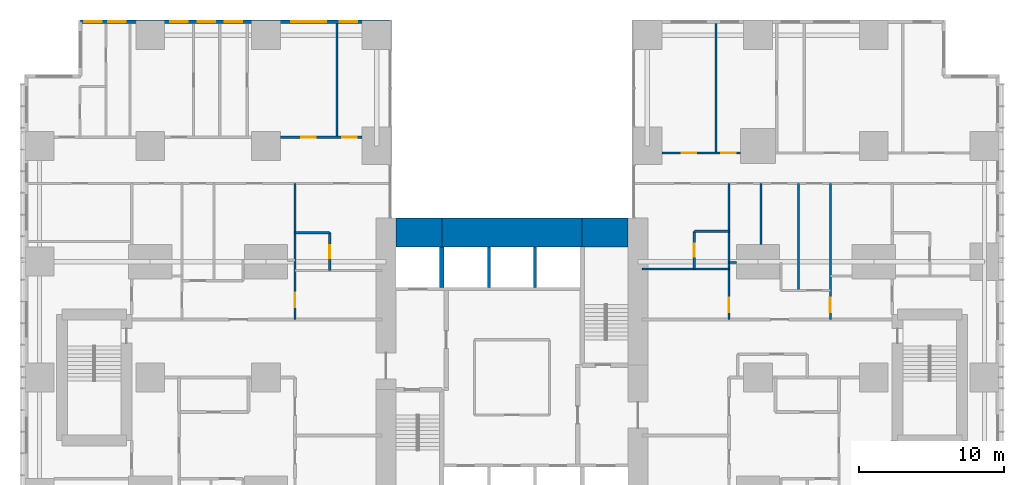
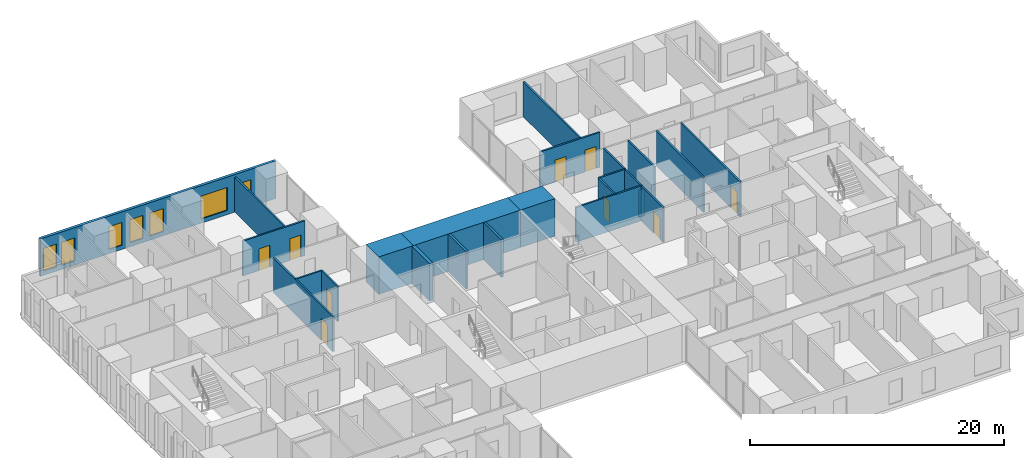
# One storey, part 17 of 20: 22 walls, 9 doors, 7 windows, 16 openings.
"""IFC4 building model written with IfcOpenShell, lengths in metres."""

from ifc_helpers import new_model, si_unit, direction, frame, frame_2d, origin, place, context, subcontext, project, spatial, rectangle, extrude, material, layer, layer_set, type_object, element, fill, save


model = new_model("IFC4")

# Units and contexts
model_context = context("Model", 3, precision=1e-05, world=origin(), true_north=direction((0.0, 1.0)))
body_context = subcontext(model_context, "Body", "Model", "MODEL_VIEW")
ifc_project = project(units=[si_unit("LENGTHUNIT", "METRE"), si_unit("AREAUNIT", "SQUARE_METRE"), si_unit("VOLUMEUNIT", "CUBIC_METRE"), si_unit("PLANEANGLEUNIT", "RADIAN"), si_unit("MASSUNIT", "GRAM", prefix="KILO")], contexts=[model_context])

# Site, building, storey
site_placement = place(None, origin())
site = spatial("IfcSite", under=ifc_project, at=site_placement, CompositionType="ELEMENT")
building_placement = place(site_placement, origin())
building = spatial("IfcBuilding", under=site, at=building_placement, Name="Cleftline Residences", CompositionType="ELEMENT")
storey_placement = place(building_placement, frame((0.0, 0.0, 121.39990234375)))
storey = spatial("IfcBuildingStorey", under=building, at=storey_placement, Name="L31", CompositionType="ELEMENT", Elevation=121.39990234375)

# Walls
ifc_material_1 = material(Name="Concrete B70", Category="concrete")
ifc_layer_1 = layer(ifc_material_1, 2.0)
ifc_layer_set_1 = layer_set([ifc_layer_1], Name="CORE WALL 2000")
wall_type_1 = type_object("IfcWallType", Name="CORE WALL 2000", PredefinedType="SHEAR", material=ifc_layer_set_1)
wall_1_placement = place(storey_placement, frame((25.0, 34.0, 0.0), z_axis=(0.0, 0.0, 1.0), x_axis=(1.0, 0.0, 0.0)))
element("IfcWall", 1, at=wall_1_placement, inside=storey, type_object=wall_type_1, Name="Core wall N1", PredefinedType="SHEAR", context=body_context, shape_type="SweptSolid", body=[
    extrude(rectangle(XDim=3.14990234375, YDim=2.0, at=frame_2d((1.574951171875, 0.0))), origin(), (0.0, 0.0, 1.0), 3.60009765625),
])
wall_2_placement = place(storey_placement, frame((28.14990234375, 34.0, 0.0), z_axis=(0.0, 0.0, 1.0), x_axis=(1.0, 0.0, 0.0)))
element("IfcWall", 2, at=wall_2_placement, inside=storey, type_object=wall_type_1, Name="Core wall N2", PredefinedType="SHEAR", context=body_context, shape_type="SweptSolid", body=[
    extrude(rectangle(XDim=9.7001953125, YDim=2.0, at=frame_2d((4.85009765625, 0.0))), origin(), (0.0, 0.0, 1.0), 3.60009765625),
])
wall_3_placement = place(storey_placement, frame((37.85009765625, 34.0, 0.0), z_axis=(0.0, 0.0, 1.0), x_axis=(1.0, 0.0, 0.0)))
element("IfcWall", 3, at=wall_3_placement, inside=storey, type_object=wall_type_1, Name="Core wall N3", PredefinedType="SHEAR", context=body_context, shape_type="SweptSolid", body=[
    extrude(rectangle(XDim=3.14990234375, YDim=2.0, at=frame_2d((1.574951171875, 0.0))), origin(), (0.0, 0.0, 1.0), 3.60009765625),
])
ifc_material_2 = material(Name="Concrete B70", Category="concrete")
ifc_layer_2 = layer(ifc_material_2, 0.300048828125)
ifc_layer_set_2 = layer_set([ifc_layer_2], Name="CORE WALL 300")
wall_type_2 = type_object("IfcWallType", Name="CORE WALL 300", PredefinedType="SHEAR", material=ifc_layer_set_2)
wall_4_placement = place(storey_placement, frame((28.14990234375, 30.199951171875, 0.0), z_axis=(0.0, 0.0, 1.0), x_axis=(0.0, 1.0, 0.0)))
element("IfcWall", 4, at=wall_4_placement, inside=storey, type_object=wall_type_2, Name="Lift shaft wall", PredefinedType="SHEAR", context=body_context, shape_type="SweptSolid", body=[
    extrude(rectangle(XDim=2.800048828125, YDim=0.300048828125, at=frame_2d((1.39990234375, 0.0))), origin(), (0.0, 0.0, 1.0), 3.60009765625),
])

# Wall, openings, windows
ifc_material_3 = material(Name="Rendered reinforced concrete blockwork", Category="masonry")
ifc_layer_3 = layer(ifc_material_3, 0.25)
ifc_layer_set_3 = layer_set([ifc_layer_3], Name="EXTERNAL WALL 250")
wall_type_3 = type_object("IfcWallType", Name="EXTERNAL WALL 250", PredefinedType="SOLIDWALL", material=ifc_layer_set_3)
wall_5_placement = place(storey_placement, frame((24.574951171875, 48.574951171875, 0.0), z_axis=(0.0, 0.0, 1.0), x_axis=(-1.0, 0.0, 0.0)))
wall_5 = element("IfcWall", 5, at=wall_5_placement, inside=storey, type_object=wall_type_3, Name="External wall", PredefinedType="SOLIDWALL", context=body_context, shape_type="SweptSolid", body=[
    extrude(rectangle(XDim=21.39990234375, YDim=0.25, at=frame_2d((10.699951171875, 0.0))), origin(), (0.0, 0.0, 1.0), 3.60009765625),
])
opening_1_placement = place(wall_5_placement, frame((2.27490234375, 0.0, 0.39990234375)))
opening_1 = element("IfcOpeningElement", 6, at=opening_1_placement, cuts=wall_5, Name="Opening W11", PredefinedType="OPENING", context=body_context, shape_type="SweptSolid", body=[
    extrude(rectangle(XDim=1.199951171875, YDim=2.199951171875, at=frame_2d((0.60009765625, 1.10009765625))), frame((0.0, 0.135009765625, 0.0), z_axis=(0.0, -1.0, 0.0), x_axis=(1.0, 0.0, 0.0)), (0.0, 0.0, 1.0), 0.27001953125),
])
opening_2_placement = place(wall_5_placement, frame((4.425048828125, 0.0, 0.39990234375)))
opening_2 = element("IfcOpeningElement", 7, at=opening_2_placement, cuts=wall_5, Name="Opening W12", PredefinedType="OPENING", context=body_context, shape_type="SweptSolid", body=[
    extrude(rectangle(XDim=2.39990234375, YDim=2.199951171875, at=frame_2d((1.199951171875, 1.10009765625))), frame((0.0, 0.135009765625, 0.0), z_axis=(0.0, -1.0, 0.0), x_axis=(1.0, 0.0, 0.0)), (0.0, 0.0, 1.0), 0.27001953125),
])
opening_3_placement = place(wall_5_placement, frame((10.22509765625, 0.0, 0.39990234375)))
opening_3 = element("IfcOpeningElement", 8, at=opening_3_placement, cuts=wall_5, Name="Opening W11", PredefinedType="OPENING", context=body_context, shape_type="SweptSolid", body=[
    extrude(rectangle(XDim=1.199951171875, YDim=2.199951171875, at=frame_2d((0.60009765625, 1.10009765625))), frame((0.0, 0.135009765625, 0.0), z_axis=(0.0, -1.0, 0.0), x_axis=(1.0, 0.0, 0.0)), (0.0, 0.0, 1.0), 0.27001953125),
])
opening_4_placement = place(wall_5_placement, frame((12.074951171875, 0.0, 0.39990234375)))
opening_4 = element("IfcOpeningElement", 9, at=opening_4_placement, cuts=wall_5, Name="Opening W11", PredefinedType="OPENING", context=body_context, shape_type="SweptSolid", body=[
    extrude(rectangle(XDim=1.199951171875, YDim=2.199951171875, at=frame_2d((0.60009765625, 1.10009765625))), frame((0.0, 0.135009765625, 0.0), z_axis=(0.0, -1.0, 0.0), x_axis=(1.0, 0.0, 0.0)), (0.0, 0.0, 1.0), 0.27001953125),
])
opening_5_placement = place(wall_5_placement, frame((13.97509765625, 0.0, 0.39990234375)))
opening_5 = element("IfcOpeningElement", 10, at=opening_5_placement, cuts=wall_5, Name="Opening W11", PredefinedType="OPENING", context=body_context, shape_type="SweptSolid", body=[
    extrude(rectangle(XDim=1.199951171875, YDim=2.199951171875, at=frame_2d((0.60009765625, 1.10009765625))), frame((0.0, 0.135009765625, 0.0), z_axis=(0.0, -1.0, 0.0), x_axis=(1.0, 0.0, 0.0)), (0.0, 0.0, 1.0), 0.27001953125),
])
opening_6_placement = place(wall_5_placement, frame((18.27490234375, 0.0, 0.39990234375)))
opening_6 = element("IfcOpeningElement", 11, at=opening_6_placement, cuts=wall_5, Name="Opening W11", PredefinedType="OPENING", context=body_context, shape_type="SweptSolid", body=[
    extrude(rectangle(XDim=1.199951171875, YDim=2.199951171875, at=frame_2d((0.60009765625, 1.10009765625))), frame((0.0, 0.135009765625, 0.0), z_axis=(0.0, -1.0, 0.0), x_axis=(1.0, 0.0, 0.0)), (0.0, 0.0, 1.0), 0.27001953125),
])
opening_7_placement = place(wall_5_placement, frame((19.925048828125, 0.0, 0.39990234375)))
opening_7 = element("IfcOpeningElement", 12, at=opening_7_placement, cuts=wall_5, Name="Opening W11", PredefinedType="OPENING", context=body_context, shape_type="SweptSolid", body=[
    extrude(rectangle(XDim=1.199951171875, YDim=2.199951171875, at=frame_2d((0.60009765625, 1.10009765625))), frame((0.0, 0.135009765625, 0.0), z_axis=(0.0, -1.0, 0.0), x_axis=(1.0, 0.0, 0.0)), (0.0, 0.0, 1.0), 0.27001953125),
])
ifc_material_4 = material(Name="Aluminium frame, clear double glazing", Category="aluminium")
window_type_1 = type_object("IfcWindowType", Name="WINDOW 1200X2200", PartitioningType="DOUBLE_PANEL_VERTICAL", PredefinedType="WINDOW", material=ifc_material_4)
window_1_placement = place(opening_1_placement, origin())
window_1 = element("IfcWindow", 13, at=window_1_placement, inside=storey, type_object=window_type_1, Name="Window", OverallHeight=2.199951171875, OverallWidth=1.199951171875, PartitioningType="SINGLE_PANEL", PredefinedType="WINDOW", context=body_context, shape_type="SweptSolid", body=[
    extrude(rectangle(XDim=1.199951171875, YDim=2.199951171875, at=frame_2d((0.60009765625, 1.10009765625))), frame((0.0, 0.030029296875, 0.0), z_axis=(0.0, -1.0, 0.0), x_axis=(1.0, 0.0, 0.0)), (0.0, 0.0, 1.0), 0.06005859375),
])
fill(opening_1, window_1)
window_2_placement = place(opening_3_placement, origin())
window_2 = element("IfcWindow", 14, at=window_2_placement, inside=storey, type_object=window_type_1, Name="Window", OverallHeight=2.199951171875, OverallWidth=1.199951171875, PartitioningType="SINGLE_PANEL", PredefinedType="WINDOW", context=body_context, shape_type="SweptSolid", body=[
    extrude(rectangle(XDim=1.199951171875, YDim=2.199951171875, at=frame_2d((0.60009765625, 1.10009765625))), frame((0.0, 0.030029296875, 0.0), z_axis=(0.0, -1.0, 0.0), x_axis=(1.0, 0.0, 0.0)), (0.0, 0.0, 1.0), 0.06005859375),
])
fill(opening_3, window_2)
window_3_placement = place(opening_4_placement, origin())
window_3 = element("IfcWindow", 15, at=window_3_placement, inside=storey, type_object=window_type_1, Name="Window", OverallHeight=2.199951171875, OverallWidth=1.199951171875, PartitioningType="SINGLE_PANEL", PredefinedType="WINDOW", context=body_context, shape_type="SweptSolid", body=[
    extrude(rectangle(XDim=1.199951171875, YDim=2.199951171875, at=frame_2d((0.60009765625, 1.10009765625))), frame((0.0, 0.030029296875, 0.0), z_axis=(0.0, -1.0, 0.0), x_axis=(1.0, 0.0, 0.0)), (0.0, 0.0, 1.0), 0.06005859375),
])
fill(opening_4, window_3)
window_4_placement = place(opening_5_placement, origin())
window_4 = element("IfcWindow", 16, at=window_4_placement, inside=storey, type_object=window_type_1, Name="Window", OverallHeight=2.199951171875, OverallWidth=1.199951171875, PartitioningType="SINGLE_PANEL", PredefinedType="WINDOW", context=body_context, shape_type="SweptSolid", body=[
    extrude(rectangle(XDim=1.199951171875, YDim=2.199951171875, at=frame_2d((0.60009765625, 1.10009765625))), frame((0.0, 0.030029296875, 0.0), z_axis=(0.0, -1.0, 0.0), x_axis=(1.0, 0.0, 0.0)), (0.0, 0.0, 1.0), 0.06005859375),
])
fill(opening_5, window_4)
window_5_placement = place(opening_6_placement, origin())
window_5 = element("IfcWindow", 17, at=window_5_placement, inside=storey, type_object=window_type_1, Name="Window", OverallHeight=2.199951171875, OverallWidth=1.199951171875, PartitioningType="SINGLE_PANEL", PredefinedType="WINDOW", context=body_context, shape_type="SweptSolid", body=[
    extrude(rectangle(XDim=1.199951171875, YDim=2.199951171875, at=frame_2d((0.60009765625, 1.10009765625))), frame((0.0, 0.030029296875, 0.0), z_axis=(0.0, -1.0, 0.0), x_axis=(1.0, 0.0, 0.0)), (0.0, 0.0, 1.0), 0.06005859375),
])
fill(opening_6, window_5)
window_6_placement = place(opening_7_placement, origin())
window_6 = element("IfcWindow", 18, at=window_6_placement, inside=storey, type_object=window_type_1, Name="Window", OverallHeight=2.199951171875, OverallWidth=1.199951171875, PartitioningType="SINGLE_PANEL", PredefinedType="WINDOW", context=body_context, shape_type="SweptSolid", body=[
    extrude(rectangle(XDim=1.199951171875, YDim=2.199951171875, at=frame_2d((0.60009765625, 1.10009765625))), frame((0.0, 0.030029296875, 0.0), z_axis=(0.0, -1.0, 0.0), x_axis=(1.0, 0.0, 0.0)), (0.0, 0.0, 1.0), 0.06005859375),
])
fill(opening_7, window_6)
ifc_material_5 = material(Name="Aluminium frame, clear double glazing", Category="aluminium")
window_type_2 = type_object("IfcWindowType", Name="WINDOW 2400X2200", PartitioningType="DOUBLE_PANEL_VERTICAL", PredefinedType="WINDOW", material=ifc_material_5)
window_7_placement = place(opening_2_placement, origin())
window_7 = element("IfcWindow", 19, at=window_7_placement, inside=storey, type_object=window_type_2, Name="Window", OverallHeight=2.199951171875, OverallWidth=2.39990234375, PartitioningType="SINGLE_PANEL", PredefinedType="WINDOW", context=body_context, shape_type="SweptSolid", body=[
    extrude(rectangle(XDim=2.39990234375, YDim=2.199951171875, at=frame_2d((1.199951171875, 1.10009765625))), frame((0.0, 0.030029296875, 0.0), z_axis=(0.0, -1.0, 0.0), x_axis=(1.0, 0.0, 0.0)), (0.0, 0.0, 1.0), 0.06005859375),
])
fill(opening_2, window_7)

# Walls
ifc_material_6 = material(Name="Gypsum board on steel studs", Category="steel")
ifc_layer_4 = layer(ifc_material_6, 0.14990234375)
ifc_layer_set_4 = layer_set([ifc_layer_4], Name="PARTITION 150")
wall_type_4 = type_object("IfcWallType", Name="PARTITION 150", PredefinedType="PARTITIONING", material=ifc_layer_set_4)
wall_6_placement = place(storey_placement, frame((42.0, 31.5, 0.0), z_axis=(0.0, 0.0, 1.0), x_axis=(1.0, 0.0, 0.0)))
element("IfcWall", 20, at=wall_6_placement, inside=storey, type_object=wall_type_4, Name="Partition", PredefinedType="PARTITIONING", context=body_context, shape_type="SweptSolid", body=[
    extrude(rectangle(XDim=6.0, YDim=0.14990234375, at=frame_2d((3.0, 0.0))), origin(), (0.0, 0.0, 1.0), 3.35009765625),
])
wall_7_placement = place(storey_placement, frame((48.0, 31.949951171875, 0.0), z_axis=(0.0, 0.0, 1.0), x_axis=(1.0, 0.0, 0.0)))
element("IfcWall", 21, at=wall_7_placement, inside=storey, type_object=wall_type_4, Name="Partition", PredefinedType="PARTITIONING", context=body_context, shape_type="SweptSolid", body=[
    extrude(rectangle(XDim=0.5, YDim=0.14990234375, at=frame_2d((0.25, 0.0))), origin(), (0.0, 0.0, 1.0), 2.634033203125),
])
for number, where, z_axis, x_axis, name in (
    (22, (18.0, 34.0, 0.0), (0.0, 0.0, 1.0), (1.0, 0.0, 0.0), "Partition"),
    (23, (45.60009765625, 34.10009765625, 0.0), (0.0, 0.0, 1.0), (1.0, 0.0, 0.0), "Partition"),
):
    element("IfcWall", number, at=place(storey_placement, frame(where, z_axis=z_axis, x_axis=x_axis)), inside=storey, type_object=wall_type_4, Name=name, PredefinedType="PARTITIONING", context=body_context, shape_type="SweptSolid", body=[
        extrude(rectangle(XDim=2.39990234375, YDim=0.14990234375, at=frame_2d((1.199951171875, 0.0))), origin(), (0.0, 0.0, 1.0), 3.35009765625),
    ])

# Wall, openings, doors
wall_8_placement = place(storey_placement, frame((43.35009765625, 39.5, 0.0), z_axis=(0.0, 0.0, 1.0), x_axis=(1.0, 0.0, 0.0)))
wall_8 = element("IfcWall", 24, at=wall_8_placement, inside=storey, type_object=wall_type_4, Name="Partition", PredefinedType="PARTITIONING", context=body_context, shape_type="SweptSolid", body=[
    extrude(rectangle(XDim=5.449951171875, YDim=0.14990234375, at=frame_2d((2.72509765625, 0.0))), origin(), (0.0, 0.0, 1.0), 3.35009765625),
])
opening_8_placement = place(wall_8_placement, frame((4.10009765625, 0.0, 0.0)))
opening_8 = element("IfcOpeningElement", 25, at=opening_8_placement, cuts=wall_8, Name="Opening D2", PredefinedType="OPENING", context=body_context, shape_type="SweptSolid", body=[
    extrude(rectangle(XDim=1.0, YDim=2.10009765625, at=frame_2d((0.5, 1.050048828125))), frame((0.0, 0.0849609375, 0.0), z_axis=(0.0, -1.0, 0.0), x_axis=(1.0, 0.0, 0.0)), (0.0, 0.0, 1.0), 0.169921875),
])
opening_9_placement = place(wall_8_placement, frame((1.375, 0.0, 0.0)))
opening_9 = element("IfcOpeningElement", 26, at=opening_9_placement, cuts=wall_8, Name="Opening D2", PredefinedType="OPENING", context=body_context, shape_type="SweptSolid", body=[
    extrude(rectangle(XDim=1.0, YDim=2.10009765625, at=frame_2d((0.5, 1.050048828125))), frame((0.0, 0.0849609375, 0.0), z_axis=(0.0, -1.0, 0.0), x_axis=(1.0, 0.0, 0.0)), (0.0, 0.0, 1.0), 0.169921875),
])
ifc_material_7 = material(Name="Timber veneer on solid core", Category="wood")
door_type_1 = type_object("IfcDoorType", Name="DOOR 1000X2100", OperationType="SINGLE_SWING_LEFT", PredefinedType="DOOR", material=ifc_material_7)
door_1_placement = place(opening_8_placement, origin())
door_1 = element("IfcDoor", 27, at=door_1_placement, inside=storey, type_object=door_type_1, Name="Door to bedroom 2", OperationType="SINGLE_SWING_LEFT", OverallHeight=2.10009765625, OverallWidth=1.0, PredefinedType="DOOR", context=body_context, shape_type="SweptSolid", body=[
    extrude(rectangle(XDim=1.0, YDim=2.10009765625, at=frame_2d((0.5, 1.050048828125))), frame((0.0, 0.02490234375, 0.0), z_axis=(0.0, -1.0, 0.0), x_axis=(1.0, 0.0, 0.0)), (0.0, 0.0, 1.0), 0.050048828125),
])
fill(opening_8, door_1)
door_2_placement = place(opening_9_placement, origin())
door_2 = element("IfcDoor", 28, at=door_2_placement, inside=storey, type_object=door_type_1, Name="Door to bedroom 2 sitting room", OperationType="SINGLE_SWING_RIGHT", OverallHeight=2.10009765625, OverallWidth=1.0, PredefinedType="DOOR", context=body_context, shape_type="SweptSolid", body=[
    extrude(rectangle(XDim=1.0, YDim=2.10009765625, at=frame_2d((0.5, 1.050048828125))), frame((0.0, 0.02490234375, 0.0), z_axis=(0.0, -1.0, 0.0), x_axis=(1.0, 0.0, 0.0)), (0.0, 0.0, 1.0), 0.050048828125),
])
fill(opening_9, door_2)

wall_9_placement = place(storey_placement, frame((17.0, 40.60009765625, 0.0), z_axis=(0.0, 0.0, 1.0), x_axis=(1.0, 0.0, 0.0)))
wall_9 = element("IfcWall", 29, at=wall_9_placement, inside=storey, type_object=wall_type_4, Name="Partition", PredefinedType="PARTITIONING", context=body_context, shape_type="SweptSolid", body=[
    extrude(rectangle(XDim=5.64990234375, YDim=0.14990234375, at=frame_2d((2.824951171875, 0.0))), origin(), (0.0, 0.0, 1.0), 3.35009765625),
])
opening_10_placement = place(wall_9_placement, frame((1.449951171875, 0.0, 0.0)))
opening_10 = element("IfcOpeningElement", 30, at=opening_10_placement, cuts=wall_9, Name="Opening D2", PredefinedType="OPENING", context=body_context, shape_type="SweptSolid", body=[
    extrude(rectangle(XDim=1.0, YDim=2.10009765625, at=frame_2d((0.5, 1.050048828125))), frame((0.0, 0.0849609375, 0.0), z_axis=(0.0, -1.0, 0.0), x_axis=(1.0, 0.0, 0.0)), (0.0, 0.0, 1.0), 0.169921875),
])
opening_11_placement = place(wall_9_placement, frame((4.27490234375, 0.0, 0.0)))
opening_11 = element("IfcOpeningElement", 31, at=opening_11_placement, cuts=wall_9, Name="Opening D2", PredefinedType="OPENING", context=body_context, shape_type="SweptSolid", body=[
    extrude(rectangle(XDim=1.0, YDim=2.10009765625, at=frame_2d((0.5, 1.050048828125))), frame((0.0, 0.0849609375, 0.0), z_axis=(0.0, -1.0, 0.0), x_axis=(1.0, 0.0, 0.0)), (0.0, 0.0, 1.0), 0.169921875),
])
door_3_placement = place(opening_10_placement, origin())
door_3 = element("IfcDoor", 32, at=door_3_placement, inside=storey, type_object=door_type_1, Name="Door to master bedroom", OperationType="SINGLE_SWING_RIGHT", OverallHeight=2.10009765625, OverallWidth=1.0, PredefinedType="DOOR", context=body_context, shape_type="SweptSolid", body=[
    extrude(rectangle(XDim=1.0, YDim=2.10009765625, at=frame_2d((0.5, 1.050048828125))), frame((0.0, 0.02490234375, 0.0), z_axis=(0.0, -1.0, 0.0), x_axis=(1.0, 0.0, 0.0)), (0.0, 0.0, 1.0), 0.050048828125),
])
fill(opening_10, door_3)
door_4_placement = place(opening_11_placement, origin())
door_4 = element("IfcDoor", 33, at=door_4_placement, inside=storey, type_object=door_type_1, Name="Door to master sitting room", OperationType="SINGLE_SWING_LEFT", OverallHeight=2.10009765625, OverallWidth=1.0, PredefinedType="DOOR", context=body_context, shape_type="SweptSolid", body=[
    extrude(rectangle(XDim=1.0, YDim=2.10009765625, at=frame_2d((0.5, 1.050048828125))), frame((0.0, 0.02490234375, 0.0), z_axis=(0.0, -1.0, 0.0), x_axis=(1.0, 0.0, 0.0)), (0.0, 0.0, 1.0), 0.050048828125),
])
fill(opening_11, door_4)

# Wall, opening, door
wall_10_placement = place(storey_placement, frame((18.0, 28.0, 0.0), z_axis=(0.0, 0.0, 1.0), x_axis=(0.0, 1.0, 0.0)))
wall_10 = element("IfcWall", 34, at=wall_10_placement, inside=storey, type_object=wall_type_4, Name="Partition", PredefinedType="PARTITIONING", context=body_context, shape_type="SweptSolid", body=[
    extrude(rectangle(XDim=9.39990234375, YDim=0.14990234375, at=frame_2d((4.699951171875, 0.0))), origin(), (0.0, 0.0, 1.0), 3.35009765625),
])
opening_12_placement = place(wall_10_placement, frame((0.83740234375, 0.0, 0.0)))
opening_12 = element("IfcOpeningElement", 35, at=opening_12_placement, cuts=wall_10, Name="Opening D2", PredefinedType="OPENING", context=body_context, shape_type="SweptSolid", body=[
    extrude(rectangle(XDim=1.0, YDim=2.10009765625, at=frame_2d((0.5, 1.050048828125))), frame((0.0, 0.0849609375, 0.0), z_axis=(0.0, -1.0, 0.0), x_axis=(1.0, 0.0, 0.0)), (0.0, 0.0, 1.0), 0.169921875),
])
door_5_placement = place(opening_12_placement, origin())
door_5 = element("IfcDoor", 36, at=door_5_placement, inside=storey, type_object=door_type_1, Name="Door to morning kitchen", OperationType="SINGLE_SWING_RIGHT", OverallHeight=2.10009765625, OverallWidth=1.0, PredefinedType="DOOR", context=body_context, shape_type="SweptSolid", body=[
    extrude(rectangle(XDim=1.0, YDim=2.10009765625, at=frame_2d((0.5, 1.050048828125))), frame((0.0, 0.02490234375, 0.0), z_axis=(0.0, -1.0, 0.0), x_axis=(1.0, 0.0, 0.0)), (0.0, 0.0, 1.0), 0.050048828125),
])
fill(opening_12, door_5)

wall_11_placement = place(storey_placement, frame((20.39990234375, 31.39990234375, 0.0), z_axis=(0.0, 0.0, 1.0), x_axis=(0.0, 1.0, 0.0)))
wall_11 = element("IfcWall", 37, at=wall_11_placement, inside=storey, type_object=wall_type_4, Name="Partition", PredefinedType="PARTITIONING", context=body_context, shape_type="SweptSolid", body=[
    extrude(rectangle(XDim=2.60009765625, YDim=0.14990234375, at=frame_2d((1.300048828125, 0.0))), origin(), (0.0, 0.0, 1.0), 3.35009765625),
])
opening_13_placement = place(wall_11_placement, frame((0.85009765625, 0.0, 0.0)))
opening_13 = element("IfcOpeningElement", 38, at=opening_13_placement, cuts=wall_11, Name="Opening D1", PredefinedType="OPENING", context=body_context, shape_type="SweptSolid", body=[
    extrude(rectangle(XDim=0.89990234375, YDim=2.10009765625, at=frame_2d((0.449951171875, 1.050048828125))), frame((0.0, 0.0849609375, 0.0), z_axis=(0.0, -1.0, 0.0), x_axis=(1.0, 0.0, 0.0)), (0.0, 0.0, 1.0), 0.169921875),
])
ifc_material_8 = material(Name="Timber veneer on solid core", Category="wood")
door_type_2 = type_object("IfcDoorType", Name="DOOR 900X2100", OperationType="SINGLE_SWING_LEFT", PredefinedType="DOOR", material=ifc_material_8)
door_6_placement = place(opening_13_placement, origin())
door_6 = element("IfcDoor", 39, at=door_6_placement, inside=storey, type_object=door_type_2, Name="Door to en-suite bathroom 4", OperationType="SINGLE_SWING_LEFT", OverallHeight=2.10009765625, OverallWidth=0.89990234375, PredefinedType="DOOR", context=body_context, shape_type="SweptSolid", body=[
    extrude(rectangle(XDim=0.89990234375, YDim=2.10009765625, at=frame_2d((0.449951171875, 1.050048828125))), frame((0.0, 0.02490234375, 0.0), z_axis=(0.0, -1.0, 0.0), x_axis=(1.0, 0.0, 0.0)), (0.0, 0.0, 1.0), 0.050048828125),
])
fill(opening_13, door_6)

# Wall
wall_12_placement = place(storey_placement, frame((20.89990234375, 40.60009765625, 0.0), z_axis=(0.0, 0.0, 1.0), x_axis=(0.0, 1.0, 0.0)))
element("IfcWall", 40, at=wall_12_placement, inside=storey, type_object=wall_type_4, Name="Partition", PredefinedType="PARTITIONING", context=body_context, shape_type="SweptSolid", body=[
    extrude(rectangle(XDim=7.849853515625, YDim=0.14990234375, at=frame_2d((3.9248046875, 0.0))), origin(), (0.0, 0.0, 1.0), 3.35009765625),
])

# Wall, opening, door
wall_13_placement = place(storey_placement, frame((45.60009765625, 31.5, 0.0), z_axis=(0.0, 0.0, 1.0), x_axis=(0.0, 1.0, 0.0)))
wall_13 = element("IfcWall", 41, at=wall_13_placement, inside=storey, type_object=wall_type_4, Name="Partition", PredefinedType="PARTITIONING", context=body_context, shape_type="SweptSolid", body=[
    extrude(rectangle(XDim=2.60009765625, YDim=0.14990234375, at=frame_2d((1.300048828125, 0.0))), origin(), (0.0, 0.0, 1.0), 3.35009765625),
])
opening_14_placement = place(wall_13_placement, frame((0.85009765625, 0.0, 0.0)))
opening_14 = element("IfcOpeningElement", 42, at=opening_14_placement, cuts=wall_13, Name="Opening D1", PredefinedType="OPENING", context=body_context, shape_type="SweptSolid", body=[
    extrude(rectangle(XDim=0.89990234375, YDim=2.10009765625, at=frame_2d((0.449951171875, 1.050048828125))), frame((0.0, 0.0849609375, 0.0), z_axis=(0.0, -1.0, 0.0), x_axis=(1.0, 0.0, 0.0)), (0.0, 0.0, 1.0), 0.169921875),
])
door_7_placement = place(opening_14_placement, origin())
door_7 = element("IfcDoor", 43, at=door_7_placement, inside=storey, type_object=door_type_2, Name="Door to en-suite bathroom 3", OperationType="SINGLE_SWING_LEFT", OverallHeight=2.10009765625, OverallWidth=0.89990234375, PredefinedType="DOOR", context=body_context, shape_type="SweptSolid", body=[
    extrude(rectangle(XDim=0.89990234375, YDim=2.10009765625, at=frame_2d((0.449951171875, 1.050048828125))), frame((0.0, 0.02490234375, 0.0), z_axis=(0.0, -1.0, 0.0), x_axis=(1.0, 0.0, 0.0)), (0.0, 0.0, 1.0), 0.050048828125),
])
fill(opening_14, door_7)

# Wall
wall_14_placement = place(storey_placement, frame((47.10009765625, 39.5, 0.0), z_axis=(0.0, 0.0, 1.0), x_axis=(0.0, 1.0, 0.0)))
element("IfcWall", 44, at=wall_14_placement, inside=storey, type_object=wall_type_4, Name="Partition", PredefinedType="PARTITIONING", context=body_context, shape_type="SweptSolid", body=[
    extrude(rectangle(XDim=8.949951171875, YDim=0.14990234375, at=frame_2d((4.47509765625, 0.0))), origin(), (0.0, 0.0, 1.0), 3.35009765625),
])

# Wall, opening, door
wall_15_placement = place(storey_placement, frame((48.0, 28.0, 0.0), z_axis=(0.0, 0.0, 1.0), x_axis=(0.0, 1.0, 0.0)))
wall_15 = element("IfcWall", 45, at=wall_15_placement, inside=storey, type_object=wall_type_4, Name="Partition", PredefinedType="PARTITIONING", context=body_context, shape_type="SweptSolid", body=[
    extrude(rectangle(XDim=9.39990234375, YDim=0.14990234375, at=frame_2d((4.699951171875, 0.0))), origin(), (0.0, 0.0, 1.0), 3.35009765625),
])
opening_15_placement = place(wall_15_placement, frame((0.5, 0.0, 0.0)))
opening_15 = element("IfcOpeningElement", 46, at=opening_15_placement, cuts=wall_15, Name="Opening D2", PredefinedType="OPENING", context=body_context, shape_type="SweptSolid", body=[
    extrude(rectangle(XDim=1.0, YDim=2.10009765625, at=frame_2d((0.5, 1.050048828125))), frame((0.0, 0.0849609375, 0.0), z_axis=(0.0, -1.0, 0.0), x_axis=(1.0, 0.0, 0.0)), (0.0, 0.0, 1.0), 0.169921875),
])
door_8_placement = place(opening_15_placement, origin())
door_8 = element("IfcDoor", 47, at=door_8_placement, inside=storey, type_object=door_type_1, Name="Door to wet kitchen", OperationType="SINGLE_SWING_RIGHT", OverallHeight=2.10009765625, OverallWidth=1.0, PredefinedType="DOOR", context=body_context, shape_type="SweptSolid", body=[
    extrude(rectangle(XDim=1.0, YDim=2.10009765625, at=frame_2d((0.5, 1.050048828125))), frame((0.0, 0.02490234375, 0.0), z_axis=(0.0, -1.0, 0.0), x_axis=(1.0, 0.0, 0.0)), (0.0, 0.0, 1.0), 0.050048828125),
])
fill(opening_15, door_8)

# Walls
wall_16_placement = place(storey_placement, frame((50.199951171875, 33.199951171875, 0.0), z_axis=(0.0, 0.0, 1.0), x_axis=(0.0, 1.0, 0.0)))
element("IfcWall", 48, at=wall_16_placement, inside=storey, type_object=wall_type_4, Name="Partition", PredefinedType="PARTITIONING", context=body_context, shape_type="SweptSolid", body=[
    extrude(rectangle(XDim=4.199951171875, YDim=0.14990234375, at=frame_2d((2.10009765625, 0.0))), origin(), (0.0, 0.0, 1.0), 3.35009765625),
])
wall_17_placement = place(storey_placement, frame((52.800048828125, 30.0, 0.0), z_axis=(0.0, 0.0, 1.0), x_axis=(0.0, 1.0, 0.0)))
element("IfcWall", 49, at=wall_17_placement, inside=storey, type_object=wall_type_4, Name="Partition", PredefinedType="PARTITIONING", context=body_context, shape_type="SweptSolid", body=[
    extrude(rectangle(XDim=7.39990234375, YDim=0.14990234375, at=frame_2d((3.699951171875, 0.0))), origin(), (0.0, 0.0, 1.0), 3.35009765625),
])

# Wall, opening, door
wall_18_placement = place(storey_placement, frame((55.0, 28.0, 0.0), z_axis=(0.0, 0.0, 1.0), x_axis=(0.0, 1.0, 0.0)))
wall_18 = element("IfcWall", 50, at=wall_18_placement, inside=storey, type_object=wall_type_4, Name="Partition", PredefinedType="PARTITIONING", context=body_context, shape_type="SweptSolid", body=[
    extrude(rectangle(XDim=9.39990234375, YDim=0.14990234375, at=frame_2d((4.699951171875, 0.0))), origin(), (0.0, 0.0, 1.0), 3.35009765625),
])
opening_16_placement = place(wall_18_placement, frame((0.5, 0.0, 0.0)))
opening_16 = element("IfcOpeningElement", 51, at=opening_16_placement, cuts=wall_18, Name="Opening D2F30", PredefinedType="OPENING", context=body_context, shape_type="SweptSolid", body=[
    extrude(rectangle(XDim=1.0, YDim=2.10009765625, at=frame_2d((0.5, 1.050048828125))), frame((0.0, 0.0849609375, 0.0), z_axis=(0.0, -1.0, 0.0), x_axis=(1.0, 0.0, 0.0)), (0.0, 0.0, 1.0), 0.169921875),
])
ifc_material_9 = material(Name="Timber veneer on solid core", Category="wood")
door_type_3 = type_object("IfcDoorType", Name="DOOR 1000X2100 EI 30", OperationType="SINGLE_SWING_LEFT", PredefinedType="DOOR", material=ifc_material_9)
door_9_placement = place(opening_16_placement, origin())
door_9 = element("IfcDoor", 52, at=door_9_placement, inside=storey, type_object=door_type_3, Name="Door to residence lobby", OperationType="SINGLE_SWING_RIGHT", OverallHeight=2.10009765625, OverallWidth=1.0, PredefinedType="DOOR", context=body_context, shape_type="SweptSolid", body=[
    extrude(rectangle(XDim=1.0, YDim=2.10009765625, at=frame_2d((0.5, 1.050048828125))), frame((0.0, 0.02490234375, 0.0), z_axis=(0.0, -1.0, 0.0), x_axis=(1.0, 0.0, 0.0)), (0.0, 0.0, 1.0), 0.050048828125),
])
fill(opening_16, door_9)

# Walls
ifc_material_10 = material(Name="Concrete blockwork, fire rated", Category="masonry")
ifc_layer_5 = layer(ifc_material_10, 0.199951171875)
ifc_layer_set_5 = layer_set([ifc_layer_5], Name="SHAFT WALL 200")
wall_type_5 = type_object("IfcWallType", Name="SHAFT WALL 200", PredefinedType="PARTITIONING", material=ifc_layer_set_5)
for number, where, z_axis, x_axis, name in (
    (53, (31.39990234375, 30.199951171875, 0.0), (0.0, 0.0, 1.0), (0.0, 1.0, 0.0), "Lift shaft wall"),
    (54, (34.60009765625, 30.199951171875, 0.0), (0.0, 0.0, 1.0), (0.0, 1.0, 0.0), "Lift shaft wall"),
):
    element("IfcWall", number, at=place(storey_placement, frame(where, z_axis=z_axis, x_axis=x_axis)), inside=storey, type_object=wall_type_5, Name=name, PredefinedType="PARTITIONING", context=body_context, shape_type="SweptSolid", body=[
        extrude(rectangle(XDim=2.800048828125, YDim=0.199951171875, at=frame_2d((1.39990234375, 0.0))), origin(), (0.0, 0.0, 1.0), 3.60009765625),
    ])

save(model, "model.ifc")
